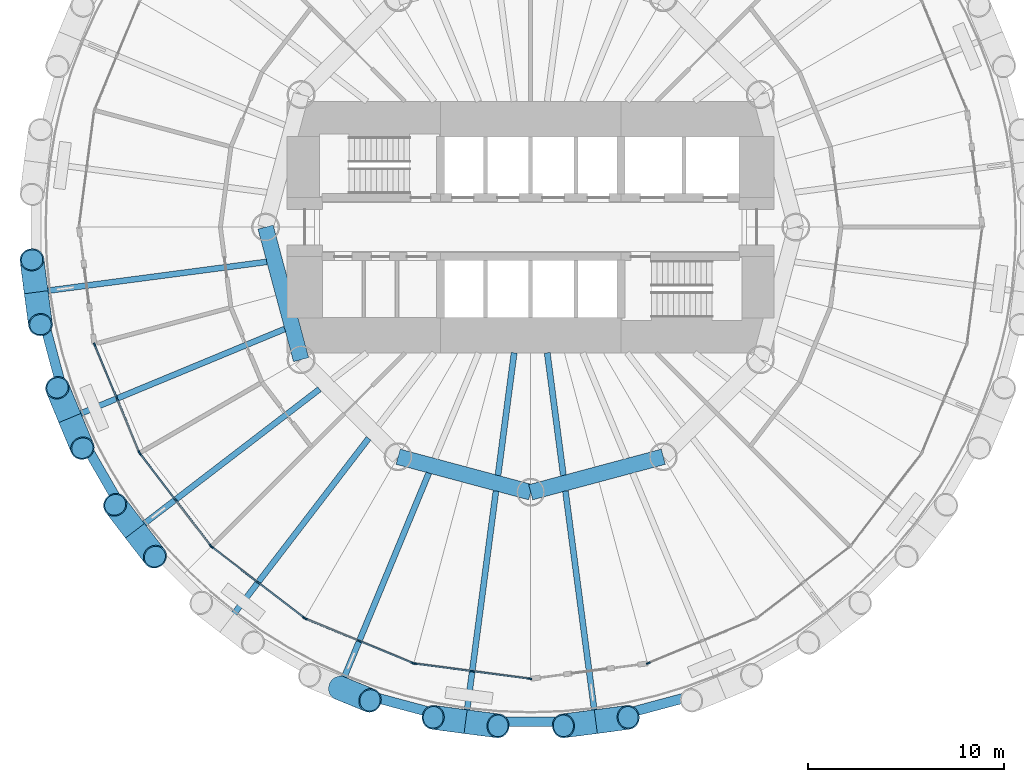
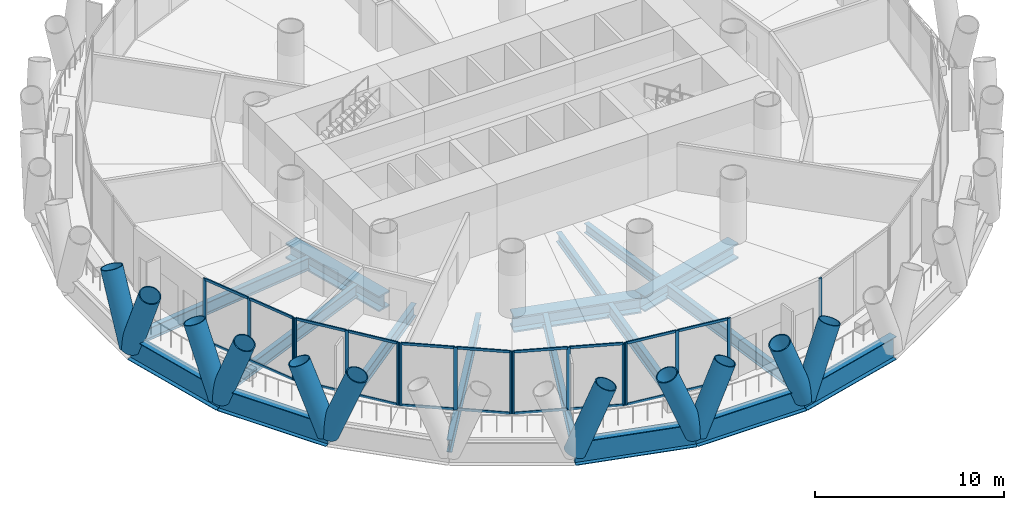
# One storey, part 2 of 14: 47 members, 17 beams, 6 elements without a shape of their own.
"""IFC4 building model written with IfcOpenShell, lengths in metres."""

from ifc_helpers import new_model, si_unit, direction, frame, origin, origin_2d, place, context, subcontext, project, spatial, rectangle, hollow_circle, i_section, extrude, material, material_profile, profile_set, type_object, element, aggregate, save


model = new_model("IFC4")

# Units and contexts
model_context = context("Model", 3, precision=1e-05, world=origin(), true_north=direction((0.0, 1.0)))
body_context = subcontext(model_context, "Body", "Model", "MODEL_VIEW")
ifc_project = project(units=[si_unit("LENGTHUNIT", "METRE"), si_unit("AREAUNIT", "SQUARE_METRE"), si_unit("VOLUMEUNIT", "CUBIC_METRE"), si_unit("PLANEANGLEUNIT", "RADIAN"), si_unit("MASSUNIT", "GRAM", prefix="KILO")], contexts=[model_context])

# Site, building, storey
site_placement = place(None, origin())
site = spatial("IfcSite", under=ifc_project, at=site_placement, CompositionType="ELEMENT")
building_placement = place(site_placement, origin())
building = spatial("IfcBuilding", under=site, at=building_placement, Name="Qaws Media Tower", CompositionType="ELEMENT")
storey_placement = place(building_placement, frame((0.0, 0.0, 68.0)))
storey = spatial("IfcBuildingStorey", under=building, at=storey_placement, Name="L14", CompositionType="ELEMENT", Elevation=68.0)

# Curtain wall, members
ifc_material_1 = material(Name="Aluminium and clear glass", Category="aluminium")
curtain_wall_type = type_object("IfcCurtainWallType", Name="Unitised curtain wall CW-A", PredefinedType="NOTDEFINED", material=ifc_material_1)
curtain_wall_1_placement = place(storey_placement, origin())
curtain_wall_1 = element("IfcCurtainWall", 1, at=curtain_wall_1_placement, inside=storey, type_object=curtain_wall_type, Name="CWA curtain wall L14-14", PredefinedType="NOTDEFINED")
ifc_material_2 = material(Name="Aluminium mullion", Category="aluminium")
ifc_material_profile_1 = material_profile(ifc_material_2, rectangle(XDim=0.080078125, YDim=0.199951171875, at=origin_2d()), Name="80x200")
ifc_profile_set_1 = profile_set([ifc_material_profile_1], Name="Aluminium mullion")
member_type_1 = type_object("IfcMemberType", Name="Curtain wall mullion 80x200", PredefinedType="MULLION", material=ifc_profile_set_1)
member_1_placement = place(storey_placement, frame((37.799072265625, 44.01025390625, 0.0), z_axis=(0.0, 0.0, 1.0), x_axis=(0.923879516795, 0.382683470307, 0.0)))
member_1 = element("IfcMember", 2, at=member_1_placement, type_object=member_type_1, Name="CWA mullion 1", PredefinedType="MULLION", context=body_context, shape_type="SweptSolid", body=[
    extrude(rectangle(XDim=0.080078125, YDim=0.199951171875, at=origin_2d()), origin(), (0.0, 0.0, 1.0), 4.0400390625),
])
member_2_placement = place(storey_placement, frame((38.9326171875, 41.273681640625, 0.0), z_axis=(0.0, 0.0, 1.0), x_axis=(0.923879516795, 0.382683470307, 0.0)))
member_2 = element("IfcMember", 3, at=member_2_placement, type_object=member_type_1, Name="CWA mullion 2", PredefinedType="MULLION", context=body_context, shape_type="SweptSolid", body=[
    extrude(rectangle(XDim=0.080078125, YDim=0.199951171875, at=origin_2d()), origin(), (0.0, 0.0, 1.0), 4.0400390625),
])
member_3_placement = place(storey_placement, frame((40.066162109375, 38.536865234375, 0.0), z_axis=(0.0, 0.0, 1.0), x_axis=(0.923879516795, 0.382683470307, 0.0)))
member_3 = element("IfcMember", 4, at=member_3_placement, type_object=member_type_1, Name="CWA mullion 3", PredefinedType="MULLION", context=body_context, shape_type="SweptSolid", body=[
    extrude(rectangle(XDim=0.080078125, YDim=0.199951171875, at=origin_2d()), origin(), (0.0, 0.0, 1.0), 4.0400390625),
])

curtain_wall_2_placement = place(storey_placement, origin())
curtain_wall_2 = element("IfcCurtainWall", 5, at=curtain_wall_2_placement, inside=storey, type_object=curtain_wall_type, Name="CWA curtain wall L14-15", PredefinedType="NOTDEFINED")
member_4_placement = place(storey_placement, frame((40.105712890625, 38.46826171875, 0.0), z_axis=(0.0, 0.0, 1.0), x_axis=(0.793353368033, 0.608761392855, 0.0)))
member_4 = element("IfcMember", 6, at=member_4_placement, type_object=member_type_1, Name="CWA mullion 1", PredefinedType="MULLION", context=body_context, shape_type="SweptSolid", body=[
    extrude(rectangle(XDim=0.080078125, YDim=0.199951171875, at=origin_2d()), origin(), (0.0, 0.0, 1.0), 4.0400390625),
])
member_5_placement = place(storey_placement, frame((41.908935546875, 36.1181640625, 0.0), z_axis=(0.0, 0.0, 1.0), x_axis=(0.793353368033, 0.608761392855, 0.0)))
member_5 = element("IfcMember", 7, at=member_5_placement, type_object=member_type_1, Name="CWA mullion 2", PredefinedType="MULLION", context=body_context, shape_type="SweptSolid", body=[
    extrude(rectangle(XDim=0.080078125, YDim=0.199951171875, at=origin_2d()), origin(), (0.0, 0.0, 1.0), 4.0400390625),
])
member_6_placement = place(storey_placement, frame((43.712158203125, 33.768310546875, 0.0), z_axis=(0.0, 0.0, 1.0), x_axis=(0.793353368033, 0.608761392855, 0.0)))
member_6 = element("IfcMember", 8, at=member_6_placement, type_object=member_type_1, Name="CWA mullion 3", PredefinedType="MULLION", context=body_context, shape_type="SweptSolid", body=[
    extrude(rectangle(XDim=0.080078125, YDim=0.199951171875, at=origin_2d()), origin(), (0.0, 0.0, 1.0), 4.0400390625),
])

curtain_wall_3_placement = place(storey_placement, origin())
curtain_wall_3 = element("IfcCurtainWall", 9, at=curtain_wall_3_placement, inside=storey, type_object=curtain_wall_type, Name="CWA curtain wall L14-16", PredefinedType="NOTDEFINED")
member_7_placement = place(storey_placement, frame((43.768310546875, 33.712158203125, 0.0), z_axis=(0.0, 0.0, 1.0), x_axis=(0.608761392855, 0.793353368033, 0.0)))
member_7 = element("IfcMember", 10, at=member_7_placement, type_object=member_type_1, Name="CWA mullion 1", PredefinedType="MULLION", context=body_context, shape_type="SweptSolid", body=[
    extrude(rectangle(XDim=0.080078125, YDim=0.199951171875, at=origin_2d()), origin(), (0.0, 0.0, 1.0), 4.0400390625),
])
member_8_placement = place(storey_placement, frame((46.1181640625, 31.908935546875, 0.0), z_axis=(0.0, 0.0, 1.0), x_axis=(0.608761392855, 0.793353368033, 0.0)))
member_8 = element("IfcMember", 11, at=member_8_placement, type_object=member_type_1, Name="CWA mullion 2", PredefinedType="MULLION", context=body_context, shape_type="SweptSolid", body=[
    extrude(rectangle(XDim=0.080078125, YDim=0.199951171875, at=origin_2d()), origin(), (0.0, 0.0, 1.0), 4.0400390625),
])
member_9_placement = place(storey_placement, frame((48.46826171875, 30.105712890625, 0.0), z_axis=(0.0, 0.0, 1.0), x_axis=(0.608761392855, 0.793353368033, 0.0)))
member_9 = element("IfcMember", 12, at=member_9_placement, type_object=member_type_1, Name="CWA mullion 3", PredefinedType="MULLION", context=body_context, shape_type="SweptSolid", body=[
    extrude(rectangle(XDim=0.080078125, YDim=0.199951171875, at=origin_2d()), origin(), (0.0, 0.0, 1.0), 4.0400390625),
])

curtain_wall_4_placement = place(storey_placement, origin())
curtain_wall_4 = element("IfcCurtainWall", 13, at=curtain_wall_4_placement, inside=storey, type_object=curtain_wall_type, Name="CWA curtain wall L14-17", PredefinedType="NOTDEFINED")
member_10_placement = place(storey_placement, frame((48.536865234375, 30.066162109375, 0.0), z_axis=(0.0, 0.0, 1.0), x_axis=(0.382683470307, 0.923879516795, 0.0)))
member_10 = element("IfcMember", 14, at=member_10_placement, type_object=member_type_1, Name="CWA mullion 1", PredefinedType="MULLION", context=body_context, shape_type="SweptSolid", body=[
    extrude(rectangle(XDim=0.080078125, YDim=0.199951171875, at=origin_2d()), origin(), (0.0, 0.0, 1.0), 4.0400390625),
])
member_11_placement = place(storey_placement, frame((51.273681640625, 28.9326171875, 0.0), z_axis=(0.0, 0.0, 1.0), x_axis=(0.382683470307, 0.923879516795, 0.0)))
member_11 = element("IfcMember", 15, at=member_11_placement, type_object=member_type_1, Name="CWA mullion 2", PredefinedType="MULLION", context=body_context, shape_type="SweptSolid", body=[
    extrude(rectangle(XDim=0.080078125, YDim=0.199951171875, at=origin_2d()), origin(), (0.0, 0.0, 1.0), 4.0400390625),
])
member_12_placement = place(storey_placement, frame((54.01025390625, 27.799072265625, 0.0), z_axis=(0.0, 0.0, 1.0), x_axis=(0.382683470307, 0.923879516795, 0.0)))
member_12 = element("IfcMember", 16, at=member_12_placement, type_object=member_type_1, Name="CWA mullion 3", PredefinedType="MULLION", context=body_context, shape_type="SweptSolid", body=[
    extrude(rectangle(XDim=0.080078125, YDim=0.199951171875, at=origin_2d()), origin(), (0.0, 0.0, 1.0), 4.0400390625),
])

curtain_wall_5_placement = place(storey_placement, origin())
curtain_wall_5 = element("IfcCurtainWall", 17, at=curtain_wall_5_placement, inside=storey, type_object=curtain_wall_type, Name="CWA curtain wall L14-18", PredefinedType="NOTDEFINED")
member_13_placement = place(storey_placement, frame((54.0869140625, 27.778564453125, 0.0), z_axis=(0.0, 0.0, 1.0), x_axis=(0.130526193795, 0.991444861167, 0.0)))
member_13 = element("IfcMember", 18, at=member_13_placement, type_object=member_type_1, Name="CWA mullion 1", PredefinedType="MULLION", context=body_context, shape_type="SweptSolid", body=[
    extrude(rectangle(XDim=0.080078125, YDim=0.199951171875, at=origin_2d()), origin(), (0.0, 0.0, 1.0), 4.0400390625),
])
member_14_placement = place(storey_placement, frame((57.023681640625, 27.391845703125, 0.0), z_axis=(0.0, 0.0, 1.0), x_axis=(0.130526193795, 0.991444861167, 0.0)))
member_14 = element("IfcMember", 19, at=member_14_placement, type_object=member_type_1, Name="CWA mullion 2", PredefinedType="MULLION", context=body_context, shape_type="SweptSolid", body=[
    extrude(rectangle(XDim=0.080078125, YDim=0.199951171875, at=origin_2d()), origin(), (0.0, 0.0, 1.0), 4.0400390625),
])
member_15_placement = place(storey_placement, frame((59.96044921875, 27.005126953125, 0.0), z_axis=(0.0, 0.0, 1.0), x_axis=(0.130526193795, 0.991444861167, 0.0)))
member_15 = element("IfcMember", 20, at=member_15_placement, type_object=member_type_1, Name="CWA mullion 3", PredefinedType="MULLION", context=body_context, shape_type="SweptSolid", body=[
    extrude(rectangle(XDim=0.080078125, YDim=0.199951171875, at=origin_2d()), origin(), (0.0, 0.0, 1.0), 4.0400390625),
])

# Curtain wall, member
curtain_wall_6_placement = place(storey_placement, origin())
curtain_wall_6 = element("IfcCurtainWall", 21, at=curtain_wall_6_placement, inside=storey, type_object=curtain_wall_type, Name="CWA curtain wall L14-20", PredefinedType="NOTDEFINED")
member_16_placement = place(storey_placement, frame((65.98974609375, 27.799072265625, 0.0), z_axis=(0.0, 0.0, 1.0), x_axis=(-0.382683470307, 0.923879516795, 0.0)))
member_16 = element("IfcMember", 22, at=member_16_placement, type_object=member_type_1, Name="CWA mullion 1", PredefinedType="MULLION", context=body_context, shape_type="SweptSolid", body=[
    extrude(rectangle(XDim=0.080078125, YDim=0.199951171875, at=origin_2d()), origin(), (0.0, 0.0, 1.0), 4.0400390625),
])
aggregate(curtain_wall_6, [member_16])

# Member
ifc_material_3 = material(Name="Aluminium transom", Category="aluminium")
ifc_material_profile_2 = material_profile(ifc_material_3, rectangle(XDim=0.080078125, YDim=0.159912109375, at=origin_2d()), Name="80x160")
ifc_profile_set_2 = profile_set([ifc_material_profile_2], Name="Aluminium transom")
member_type_2 = type_object("IfcMemberType", Name="Curtain wall transom 80x160", PredefinedType="USERDEFINED", material=ifc_profile_set_2)
member_17_placement = place(storey_placement, frame((37.814208984375, 43.97314453125, 0.0400390625), z_axis=(0.382725867339, -0.923861954228, 0.0), x_axis=(0.923861954228, 0.382725867339, 0.0)))
member_17 = element("IfcMember", 23, at=member_17_placement, type_object=member_type_2, Name="CWA transom 1.1", ObjectType="TRANSOM", PredefinedType="USERDEFINED", context=body_context, shape_type="SweptSolid", body=[
    extrude(rectangle(XDim=0.080078125, YDim=0.159912109375, at=origin_2d()), origin(), (0.0, 0.0, 1.0), 2.882080078125),
])

member_18_placement = place(storey_placement, frame((37.814208984375, 43.97314453125, 4.0), z_axis=(0.382725867339, -0.923861954228, 0.0), x_axis=(0.923861954228, 0.382725867339, 0.0)))
member_18 = element("IfcMember", 24, at=member_18_placement, type_object=member_type_2, Name="CWA transom 1.2", ObjectType="TRANSOM", PredefinedType="USERDEFINED", context=body_context, shape_type="SweptSolid", body=[
    extrude(rectangle(XDim=0.080078125, YDim=0.159912109375, at=origin_2d()), origin(), (0.0, 0.0, 1.0), 2.882080078125),
])

member_19_placement = place(storey_placement, frame((38.94775390625, 41.236572265625, 0.0400390625), z_axis=(0.382725867339, -0.923861954228, 0.0), x_axis=(0.923861954228, 0.382725867339, 0.0)))
member_19 = element("IfcMember", 25, at=member_19_placement, type_object=member_type_2, Name="CWA transom 2.1", ObjectType="TRANSOM", PredefinedType="USERDEFINED", context=body_context, shape_type="SweptSolid", body=[
    extrude(rectangle(XDim=0.080078125, YDim=0.159912109375, at=origin_2d()), origin(), (0.0, 0.0, 1.0), 2.882080078125),
])

member_20_placement = place(storey_placement, frame((38.94775390625, 41.236572265625, 4.0), z_axis=(0.382725867339, -0.923861954228, 0.0), x_axis=(0.923861954228, 0.382725867339, 0.0)))
member_20 = element("IfcMember", 26, at=member_20_placement, type_object=member_type_2, Name="CWA transom 2.2", ObjectType="TRANSOM", PredefinedType="USERDEFINED", context=body_context, shape_type="SweptSolid", body=[
    extrude(rectangle(XDim=0.080078125, YDim=0.159912109375, at=origin_2d()), origin(), (0.0, 0.0, 1.0), 2.882080078125),
])

aggregate(curtain_wall_1, [member_1, member_2, member_3, member_17, member_18, member_19, member_20])

member_21_placement = place(storey_placement, frame((40.130126953125, 38.4365234375, 0.0400390625), z_axis=(0.608719597499, -0.793385436985, 0.0), x_axis=(0.793385436985, 0.608719597499, 0.0)))
member_21 = element("IfcMember", 27, at=member_21_placement, type_object=member_type_2, Name="CWA transom 1.1", ObjectType="TRANSOM", PredefinedType="USERDEFINED", context=body_context, shape_type="SweptSolid", body=[
    extrude(rectangle(XDim=0.080078125, YDim=0.159912109375, at=origin_2d()), origin(), (0.0, 0.0, 1.0), 2.882080078125),
])

member_22_placement = place(storey_placement, frame((40.130126953125, 38.4365234375, 4.0), z_axis=(0.608719597499, -0.793385436985, 0.0), x_axis=(0.793385436985, 0.608719597499, 0.0)))
member_22 = element("IfcMember", 28, at=member_22_placement, type_object=member_type_2, Name="CWA transom 1.2", ObjectType="TRANSOM", PredefinedType="USERDEFINED", context=body_context, shape_type="SweptSolid", body=[
    extrude(rectangle(XDim=0.080078125, YDim=0.159912109375, at=origin_2d()), origin(), (0.0, 0.0, 1.0), 2.882080078125),
])

member_23_placement = place(storey_placement, frame((41.933349609375, 36.08642578125, 0.0400390625), z_axis=(0.608760509637, -0.793354045749, 0.0), x_axis=(0.793354045749, 0.608760509637, 0.0)))
member_23 = element("IfcMember", 29, at=member_23_placement, type_object=member_type_2, Name="CWA transom 2.1", ObjectType="TRANSOM", PredefinedType="USERDEFINED", context=body_context, shape_type="SweptSolid", body=[
    extrude(rectangle(XDim=0.080078125, YDim=0.159912109375, at=origin_2d()), origin(), (0.0, 0.0, 1.0), 2.8818359375),
])

member_24_placement = place(storey_placement, frame((41.933349609375, 36.08642578125, 4.0), z_axis=(0.608760509637, -0.793354045749, 0.0), x_axis=(0.793354045749, 0.608760509637, 0.0)))
member_24 = element("IfcMember", 30, at=member_24_placement, type_object=member_type_2, Name="CWA transom 2.2", ObjectType="TRANSOM", PredefinedType="USERDEFINED", context=body_context, shape_type="SweptSolid", body=[
    extrude(rectangle(XDim=0.080078125, YDim=0.159912109375, at=origin_2d()), origin(), (0.0, 0.0, 1.0), 2.8818359375),
])

aggregate(curtain_wall_2, [member_4, member_5, member_6, member_21, member_22, member_23, member_24])

member_25_placement = place(storey_placement, frame((43.800048828125, 33.687744140625, 0.0400390625), z_axis=(0.793354045749, -0.608760509637, 0.0), x_axis=(0.608760509637, 0.793354045749, 0.0)))
member_25 = element("IfcMember", 31, at=member_25_placement, type_object=member_type_2, Name="CWA transom 1.1", ObjectType="TRANSOM", PredefinedType="USERDEFINED", context=body_context, shape_type="SweptSolid", body=[
    extrude(rectangle(XDim=0.080078125, YDim=0.159912109375, at=origin_2d()), origin(), (0.0, 0.0, 1.0), 2.8818359375),
])

member_26_placement = place(storey_placement, frame((43.800048828125, 33.687744140625, 4.0), z_axis=(0.793354045749, -0.608760509637, 0.0), x_axis=(0.608760509637, 0.793354045749, 0.0)))
member_26 = element("IfcMember", 32, at=member_26_placement, type_object=member_type_2, Name="CWA transom 1.2", ObjectType="TRANSOM", PredefinedType="USERDEFINED", context=body_context, shape_type="SweptSolid", body=[
    extrude(rectangle(XDim=0.080078125, YDim=0.159912109375, at=origin_2d()), origin(), (0.0, 0.0, 1.0), 2.8818359375),
])

member_27_placement = place(storey_placement, frame((46.14990234375, 31.884521484375, 0.0400390625), z_axis=(0.793385436985, -0.608719597499, 0.0), x_axis=(0.608719597499, 0.793385436985, 0.0)))
member_27 = element("IfcMember", 33, at=member_27_placement, type_object=member_type_2, Name="CWA transom 2.1", ObjectType="TRANSOM", PredefinedType="USERDEFINED", context=body_context, shape_type="SweptSolid", body=[
    extrude(rectangle(XDim=0.080078125, YDim=0.159912109375, at=origin_2d()), origin(), (0.0, 0.0, 1.0), 2.882080078125),
])

member_28_placement = place(storey_placement, frame((46.14990234375, 31.884521484375, 4.0), z_axis=(0.793385436985, -0.608719597499, 0.0), x_axis=(0.608719597499, 0.793385436985, 0.0)))
member_28 = element("IfcMember", 34, at=member_28_placement, type_object=member_type_2, Name="CWA transom 2.2", ObjectType="TRANSOM", PredefinedType="USERDEFINED", context=body_context, shape_type="SweptSolid", body=[
    extrude(rectangle(XDim=0.080078125, YDim=0.159912109375, at=origin_2d()), origin(), (0.0, 0.0, 1.0), 2.882080078125),
])

aggregate(curtain_wall_3, [member_7, member_8, member_9, member_25, member_26, member_27, member_28])

member_29_placement = place(storey_placement, frame((48.573974609375, 30.05078125, 0.0400390625), z_axis=(0.923861954228, -0.382725867339, 0.0), x_axis=(0.382725867339, 0.923861954228, 0.0)))
member_29 = element("IfcMember", 35, at=member_29_placement, type_object=member_type_2, Name="CWA transom 1.1", ObjectType="TRANSOM", PredefinedType="USERDEFINED", context=body_context, shape_type="SweptSolid", body=[
    extrude(rectangle(XDim=0.080078125, YDim=0.159912109375, at=origin_2d()), origin(), (0.0, 0.0, 1.0), 2.882080078125),
])

member_30_placement = place(storey_placement, frame((48.573974609375, 30.05078125, 4.0), z_axis=(0.923861954228, -0.382725867339, 0.0), x_axis=(0.382725867339, 0.923861954228, 0.0)))
member_30 = element("IfcMember", 36, at=member_30_placement, type_object=member_type_2, Name="CWA transom 1.2", ObjectType="TRANSOM", PredefinedType="USERDEFINED", context=body_context, shape_type="SweptSolid", body=[
    extrude(rectangle(XDim=0.080078125, YDim=0.159912109375, at=origin_2d()), origin(), (0.0, 0.0, 1.0), 2.882080078125),
])

member_31_placement = place(storey_placement, frame((51.310546875, 28.917236328125, 0.0400390625), z_axis=(0.923861954228, -0.382725867339, 0.0), x_axis=(0.382725867339, 0.923861954228, 0.0)))
member_31 = element("IfcMember", 37, at=member_31_placement, type_object=member_type_2, Name="CWA transom 2.1", ObjectType="TRANSOM", PredefinedType="USERDEFINED", context=body_context, shape_type="SweptSolid", body=[
    extrude(rectangle(XDim=0.080078125, YDim=0.159912109375, at=origin_2d()), origin(), (0.0, 0.0, 1.0), 2.882080078125),
])

member_32_placement = place(storey_placement, frame((51.310546875, 28.917236328125, 4.0), z_axis=(0.923861954228, -0.382725867339, 0.0), x_axis=(0.382725867339, 0.923861954228, 0.0)))
member_32 = element("IfcMember", 38, at=member_32_placement, type_object=member_type_2, Name="CWA transom 2.2", ObjectType="TRANSOM", PredefinedType="USERDEFINED", context=body_context, shape_type="SweptSolid", body=[
    extrude(rectangle(XDim=0.080078125, YDim=0.159912109375, at=origin_2d()), origin(), (0.0, 0.0, 1.0), 2.882080078125),
])

aggregate(curtain_wall_4, [member_10, member_11, member_12, member_29, member_30, member_31, member_32])

member_33_placement = place(storey_placement, frame((54.12646484375, 27.773193359375, 0.0400390625), z_axis=(0.991443335709, -0.130537780274, 0.0), x_axis=(0.130537780274, 0.991443335709, 0.0)))
member_33 = element("IfcMember", 39, at=member_33_placement, type_object=member_type_2, Name="CWA transom 1.1", ObjectType="TRANSOM", PredefinedType="USERDEFINED", context=body_context, shape_type="SweptSolid", body=[
    extrude(rectangle(XDim=0.080078125, YDim=0.159912109375, at=origin_2d()), origin(), (0.0, 0.0, 1.0), 2.882080078125),
])

member_34_placement = place(storey_placement, frame((54.12646484375, 27.773193359375, 4.0), z_axis=(0.991443335709, -0.130537780274, 0.0), x_axis=(0.130537780274, 0.991443335709, 0.0)))
member_34 = element("IfcMember", 40, at=member_34_placement, type_object=member_type_2, Name="CWA transom 1.2", ObjectType="TRANSOM", PredefinedType="USERDEFINED", context=body_context, shape_type="SweptSolid", body=[
    extrude(rectangle(XDim=0.080078125, YDim=0.159912109375, at=origin_2d()), origin(), (0.0, 0.0, 1.0), 2.882080078125),
])

member_35_placement = place(storey_placement, frame((57.063232421875, 27.38671875, 0.0400390625), z_axis=(0.991443335709, -0.130537780274, 0.0), x_axis=(0.130537780274, 0.991443335709, 0.0)))
member_35 = element("IfcMember", 41, at=member_35_placement, type_object=member_type_2, Name="CWA transom 2.1", ObjectType="TRANSOM", PredefinedType="USERDEFINED", context=body_context, shape_type="SweptSolid", body=[
    extrude(rectangle(XDim=0.080078125, YDim=0.159912109375, at=origin_2d()), origin(), (0.0, 0.0, 1.0), 2.882080078125),
])

member_36_placement = place(storey_placement, frame((57.063232421875, 27.38671875, 4.0), z_axis=(0.991443335709, -0.130537780274, 0.0), x_axis=(0.130537780274, 0.991443335709, 0.0)))
member_36 = element("IfcMember", 42, at=member_36_placement, type_object=member_type_2, Name="CWA transom 2.2", ObjectType="TRANSOM", PredefinedType="USERDEFINED", context=body_context, shape_type="SweptSolid", body=[
    extrude(rectangle(XDim=0.080078125, YDim=0.159912109375, at=origin_2d()), origin(), (0.0, 0.0, 1.0), 2.882080078125),
])

aggregate(curtain_wall_5, [member_13, member_14, member_15, member_33, member_34, member_35, member_36])

# Members
ifc_material_4 = material(Name="Steel S460", Category="steel")
ifc_material_profile_3 = material_profile(ifc_material_4, hollow_circle(Radius=0.609619140625, WallThickness=0.06005859375, at=origin_2d()), Name="CHS 1219x60")
ifc_profile_set_3 = profile_set([ifc_material_profile_3], Name="Steel S460")
member_type_3 = type_object("IfcMemberType", Name="Diagrid member CHS 1219x60", PredefinedType="USERDEFINED", material=ifc_profile_set_3)
for number, where, z_axis, x_axis, name in (
    (43, (34.8173828125, 46.6845703125, -0.909912109375), (0.049068557688, -0.365150048786, 0.929654623244), (0.991091589873, 0.133182057659, 0.0), "DG1 diagrid L14 A13"),
    (44, (34.8173828125, 46.6845703125, -0.909912109375), (-0.047122866406, 0.365418374584, 0.929649851814), (-0.991787471747, -0.127896875978, 0.0), "DG1 diagrid L14 B13"),
    (45, (36.533447265625, 40.27978515625, -0.909912109375), (0.141908975855, -0.340019526305, 0.929649699781), (0.922851117213, 0.385156871234, 0.0), "DG1 diagrid L14 A14"),
    (46, (36.533447265625, 40.27978515625, -0.909912109375), (-0.140071829394, 0.340776603455, 0.929651111519), (-0.924914851448, -0.380174325238, 0.0), "DG1 diagrid L14 B14"),
    (47, (39.848876953125, 34.537353515625, -0.909912109375), (0.22507988538, -0.29165813719, 0.929663689841), (0.791668736026, 0.61095058098, 0.0), "DG1 diagrid L14 A15"),
    (48, (39.848876953125, 34.537353515625, -0.909912109375), (-0.223506533312, 0.292947030243, 0.929638030117), (-0.795027552738, -0.60657331823, 0.0), "DG1 diagrid L14 B15"),
    (49, (50.27978515625, 26.533447265625, -0.909912109375), (0.340776603455, -0.140071829394, 0.929651111519), (0.380174325238, 0.924914851448, 0.0), "DG1 diagrid L14 A17"),
    (50, (56.6845703125, 24.8173828125, -0.909912109375), (0.365418374584, -0.047122866406, 0.929649851814), (0.127896875978, 0.991787471747, 0.0), "DG1 diagrid L14 A18"),
    (51, (56.6845703125, 24.8173828125, -0.909912109375), (-0.365150048786, 0.049068557688, 0.929654623244), (-0.133182057659, -0.991091589873, 0.0), "DG1 diagrid L14 B18"),
    (52, (63.3154296875, 24.8173828125, -0.909912109375), (0.365150048786, 0.049068557688, 0.929654623244), (-0.133182057659, 0.991091589873, 0.0), "DG1 diagrid L14 A19"),
    (53, (63.3154296875, 24.8173828125, -0.909912109375), (-0.365418374584, -0.047122866406, 0.929649851814), (0.127896875978, -0.991787471747, 0.0), "DG1 diagrid L14 B19"),
):
    element("IfcMember", number, at=place(storey_placement, frame(where, z_axis=z_axis, x_axis=x_axis)), inside=storey, type_object=member_type_3, Name=name, ObjectType="DIAGRID", PredefinedType="USERDEFINED", context=body_context, shape_type="SweptSolid", body=[
        extrude(hollow_circle(Radius=0.609619140625, WallThickness=0.06005859375, at=origin_2d()), origin(), (0.0, 0.0, 1.0), 4.517822265625),
    ])

# Beams
ifc_material_5 = material(Name="Steel S460", Category="steel")
ifc_material_profile_4 = material_profile(ifc_material_5, i_section(OverallWidth=0.5, OverallDepth=1.5, WebThickness=0.02001953125, FlangeThickness=0.0400390625, at=origin_2d()), Name="PG 1500x500")
ifc_profile_set_4 = profile_set([ifc_material_profile_4], Name="Steel S460")
beam_type_1 = type_object("IfcBeamType", Name="Edge ring beam PG 1500x500", PredefinedType="BEAM", material=ifc_profile_set_4)
beam_1_placement = place(storey_placement, frame((34.8173828125, 46.6845703125, -0.909912109375), z_axis=(0.258806021256, -0.965929315924, 0.0), x_axis=(0.965929315924, 0.258806021256, 0.0)))
element("IfcBeam", 54, at=beam_1_placement, inside=storey, type_object=beam_type_1, Name="RB4 edge ring beam L14-13", PredefinedType="BEAM", context=body_context, shape_type="SweptSolid", body=[
    extrude(i_section(OverallWidth=0.5, OverallDepth=1.5, WebThickness=0.02001953125, FlangeThickness=0.0400390625, at=origin_2d()), origin(), (0.0, 0.0, 1.0), 6.630615234375),
])
beam_2_placement = place(storey_placement, frame((36.533447265625, 40.27978515625, -0.909912109375), z_axis=(0.500003985254, -0.866023102884, 0.0), x_axis=(0.866023102884, 0.500003985254, 0.0)))
element("IfcBeam", 55, at=beam_2_placement, inside=storey, type_object=beam_type_1, Name="RB4 edge ring beam L14-14", PredefinedType="BEAM", context=body_context, shape_type="SweptSolid", body=[
    extrude(i_section(OverallWidth=0.5, OverallDepth=1.5, WebThickness=0.02001953125, FlangeThickness=0.0400390625, at=origin_2d()), origin(), (0.0, 0.0, 1.0), 6.630859375),
])
beam_3_placement = place(storey_placement, frame((50.27978515625, 26.533447265625, -0.909912109375), z_axis=(0.965929315924, -0.258806021256, 0.0), x_axis=(0.258806021256, 0.965929315924, 0.0)))
element("IfcBeam", 56, at=beam_3_placement, inside=storey, type_object=beam_type_1, Name="RB4 edge ring beam L14-17", PredefinedType="BEAM", context=body_context, shape_type="SweptSolid", body=[
    extrude(i_section(OverallWidth=0.5, OverallDepth=1.5, WebThickness=0.02001953125, FlangeThickness=0.0400390625, at=origin_2d()), origin(), (0.0, 0.0, 1.0), 6.630615234375),
])
beam_4_placement = place(storey_placement, frame((56.6845703125, 24.8173828125, -0.909912109375), z_axis=(1.0, 0.0, 0.0), x_axis=(0.0, 1.0, 0.0)))
element("IfcBeam", 57, at=beam_4_placement, inside=storey, type_object=beam_type_1, Name="RB4 edge ring beam L14-18", PredefinedType="BEAM", context=body_context, shape_type="SweptSolid", body=[
    extrude(i_section(OverallWidth=0.5, OverallDepth=1.5, WebThickness=0.02001953125, FlangeThickness=0.0400390625, at=origin_2d()), origin(), (0.0, 0.0, 1.0), 6.630859375),
])
beam_5_placement = place(storey_placement, frame((63.3154296875, 24.8173828125, -0.909912109375), z_axis=(0.965929315924, 0.258806021256, 0.0), x_axis=(-0.258806021256, 0.965929315924, 0.0)))
element("IfcBeam", 58, at=beam_5_placement, inside=storey, type_object=beam_type_1, Name="RB4 edge ring beam L14-19", PredefinedType="BEAM", context=body_context, shape_type="SweptSolid", body=[
    extrude(i_section(OverallWidth=0.5, OverallDepth=1.5, WebThickness=0.02001953125, FlangeThickness=0.0400390625, at=origin_2d()), origin(), (0.0, 0.0, 1.0), 6.630615234375),
])
ifc_material_6 = material(Name="Steel S460", Category="steel")
ifc_material_profile_5 = material_profile(ifc_material_6, i_section(OverallWidth=0.800048828125, OverallDepth=1.0, WebThickness=0.0400390625, FlangeThickness=0.10009765625, at=origin_2d()), Name="PG 1000x800")
ifc_profile_set_5 = profile_set([ifc_material_profile_5], Name="Steel S460")
beam_type_2 = type_object("IfcBeamType", Name="Inner ring girder PG 1000x800", PredefinedType="BEAM", material=ifc_profile_set_5)
for number, where, z_axis, x_axis, name in (
    (59, (46.5, 50.0, -0.659912109375), (0.258810593767, -0.965928090778, 0.0), (0.965928090778, 0.258810593767, 0.0), "B3 inner ring beam L14 I07-I08"),
    (60, (53.25, 38.30859375, -0.659912109375), (0.965928090778, -0.258810593767, 0.0), (0.258810593767, 0.965928090778, 0.0), "B3 inner ring beam L14 I09-I10"),
    (61, (60.0, 36.5, -0.659912109375), (0.965928090778, 0.258810593767, 0.0), (-0.258810593767, 0.965928090778, 0.0), "B3 inner ring beam L14 I10-I11"),
):
    element("IfcBeam", number, at=place(storey_placement, frame(where, z_axis=z_axis, x_axis=x_axis)), inside=storey, type_object=beam_type_2, Name=name, PredefinedType="BEAM", context=body_context, shape_type="SweptSolid", body=[
        extrude(i_section(OverallWidth=0.800048828125, OverallDepth=1.0, WebThickness=0.0400390625, FlangeThickness=0.10009765625, at=origin_2d()), origin(), (0.0, 0.0, 1.0), 6.988037109375),
    ])
ifc_material_7 = material(Name="Steel S355", Category="steel")
ifc_material_profile_6 = material_profile(ifc_material_7, i_section(OverallWidth=0.304931640625, OverallDepth=0.6201171875, WebThickness=0.02099609375, FlangeThickness=0.0400390625, FilletRadius=0.027099609375, at=origin_2d()), Name="HE 600 M")
ifc_profile_set_6 = profile_set([ifc_material_profile_6], Name="Steel S355")
beam_type_3 = type_object("IfcBeamType", Name="Radial beam HE 600 M, core side", PredefinedType="BEAM", material=ifc_profile_set_6)
for number, where, z_axis, x_axis, name in (
    (62, (59.157470703125, 43.60009765625, -0.469970703125), (-0.130529769311, -0.991444390434, 0.0), (0.991444390434, -0.130529769311, 0.0), "B2 radial beam L14 18"),
    (63, (60.842529296875, 43.60009765625, -0.469970703125), (0.130529769311, -0.991444390434, 0.0), (0.991444390434, 0.130529769311, 0.0), "B2 radial beam L14 19"),
):
    element("IfcBeam", number, at=place(storey_placement, frame(where, z_axis=z_axis, x_axis=x_axis)), inside=storey, type_object=beam_type_3, Name=name, PredefinedType="BEAM", context=body_context, shape_type="SweptSolid", body=[
        extrude(i_section(OverallWidth=0.304931640625, OverallDepth=0.6201171875, WebThickness=0.02099609375, FlangeThickness=0.0400390625, FilletRadius=0.027099609375, at=origin_2d()), origin(), (0.0, 0.0, 1.0), 6.2939453125),
    ])
ifc_material_8 = material(Name="Steel S355", Category="steel")
ifc_material_profile_7 = material_profile(ifc_material_8, i_section(OverallWidth=0.300048828125, OverallDepth=0.800048828125, WebThickness=0.017578125, FlangeThickness=0.032958984375, FilletRadius=0.030029296875, at=origin_2d()), Name="HE 800 B")
ifc_profile_set_7 = profile_set([ifc_material_profile_7], Name="Steel S355")
beam_type_4 = type_object("IfcBeamType", Name="Radial beam HE 800 B", PredefinedType="BEAM", material=ifc_profile_set_7)
for number, where, z_axis, x_axis, name in (
    (64, (46.56005859375, 48.230712890625, -0.56005859375), (-0.991442785465, -0.13054195934, 0.0), (0.13054195934, -0.991442785465, 0.0), "B1 radial beam L14 13"),
    (65, (47.475830078125, 44.812255859375, -0.56005859375), (-0.923879910499, -0.382682519822, 0.0), (0.382682519822, -0.923879910499, 0.0), "B1 radial beam L14 14"),
    (66, (49.245361328125, 41.74755859375, -0.56005859375), (-0.793352156737, -0.608762971443, 0.0), (0.608762971443, -0.793352156737, 0.0), "B1 radial beam L14 15"),
    (67, (51.74755859375, 39.245361328125, -0.56005859375), (-0.608762971443, -0.793352156737, 0.0), (0.793352156737, -0.608762971443, 0.0), "B1 radial beam L14 16"),
    (68, (54.812255859375, 37.475830078125, -0.56005859375), (-0.382682519822, -0.923879910499, 0.0), (0.923879910499, -0.382682519822, 0.0), "B1 radial beam L14 17"),
    (69, (58.230712890625, 36.56005859375, -0.56005859375), (-0.13054195934, -0.991442785465, 0.0), (0.991442785465, -0.13054195934, 0.0), "B1 radial beam L14 18"),
    (70, (61.769287109375, 36.56005859375, -0.56005859375), (0.13054195934, -0.991442785465, 0.0), (0.991442785465, 0.13054195934, 0.0), "B1 radial beam L14 19"),
):
    element("IfcBeam", number, at=place(storey_placement, frame(where, z_axis=z_axis, x_axis=x_axis)), inside=storey, type_object=beam_type_4, Name=name, PredefinedType="BEAM", context=body_context, shape_type="SweptSolid", body=[
        extrude(i_section(OverallWidth=0.300048828125, OverallDepth=0.800048828125, WebThickness=0.017578125, FlangeThickness=0.032958984375, FilletRadius=0.030029296875, at=origin_2d()), origin(), (0.0, 0.0, 1.0), 11.843994140625),
    ])

save(model, "model.ifc")
